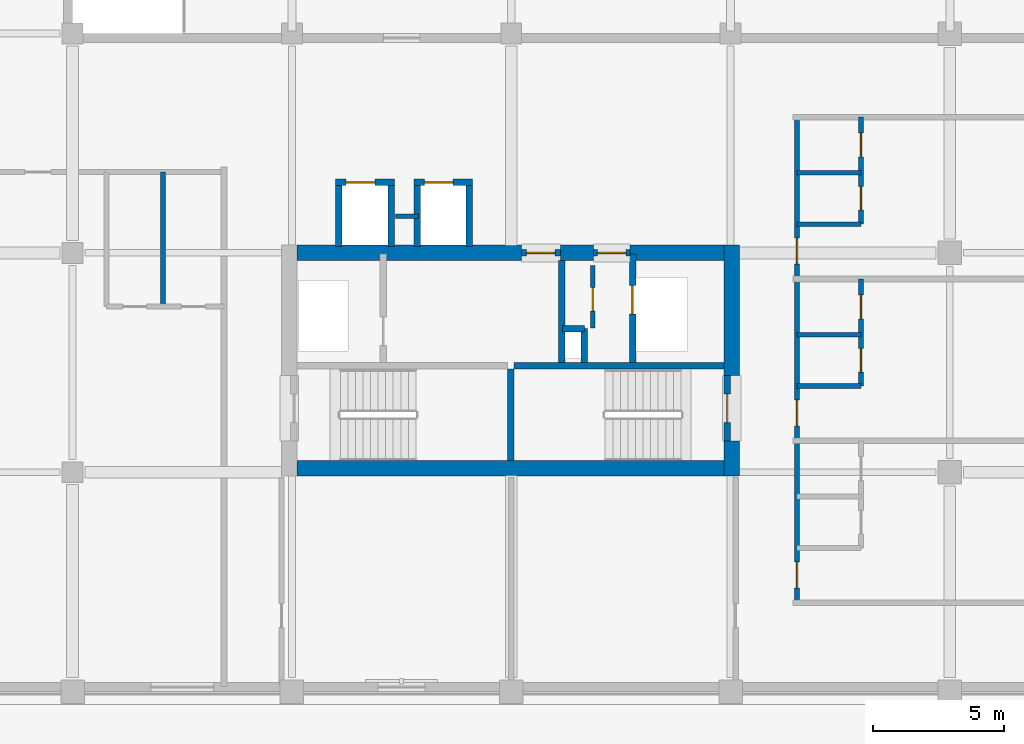
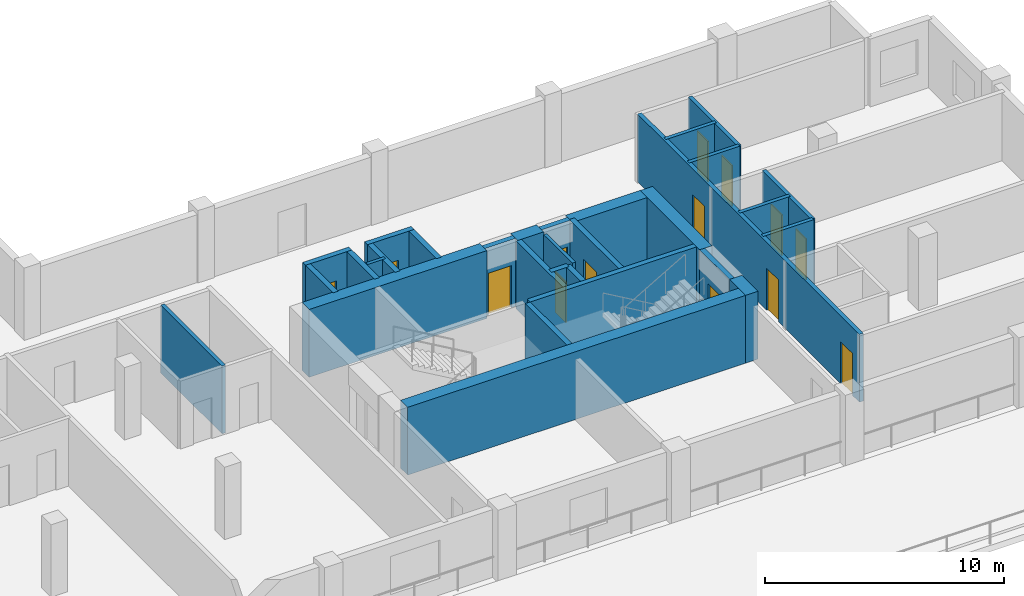
# One storey, part 4 of 13: 31 walls, 14 doors, 14 openings.
"""IFC4 building model written with IfcOpenShell, lengths in metres."""

import ifcopenshell
import ifcopenshell.guid

model = None  # the IFC model being written
_history = None  # IfcOwnerHistory: only IFC2X3 demands one
_inside = {}  # id of a spatial element -> (the spatial element, [elements in it])
_under = {}  # id of a project, library or spatial element -> (it, [spatial elements below it])
_declared = {}  # id of a project -> (the project, [libraries it declares])
_typed = {}  # id of a type object -> (the type object, [elements of that type])
_made_of = {}  # id of a material, layer set ... -> (it, [elements and type objects made of it])


def new_model(schema):
    """Start an empty IFC model of exactly this schema.

    Asked for "IFC4X3", IfcOpenShell would pick the latest addendum, in which some entities
    have other attributes; the version numbers below select the first issue.
    IFC2X3 requires an IfcOwnerHistory on every rooted entity: one is made here for all.
    """
    global model, _history
    if schema == "IFC4X3":
        model = ifcopenshell.file(schema_version=(4, 3, 0, 0))
    else:
        model = ifcopenshell.file(schema=schema)
    _inside.clear()
    _under.clear()
    _declared.clear()
    _typed.clear()
    _made_of.clear()
    _history = None
    if model.schema == "IFC2X3":
        org = make("IfcOrganization", Name="unknown")
        user = make(
            "IfcPersonAndOrganization",
            ThePerson=make("IfcPerson", FamilyName="unknown"),
            TheOrganization=org,
        )
        app = make(
            "IfcApplication",
            ApplicationDeveloper=org,
            Version="unknown",
            ApplicationFullName="unknown",
            ApplicationIdentifier="unknown",
        )
        _history = make(
            "IfcOwnerHistory",
            OwningUser=user,
            OwningApplication=app,
            ChangeAction="ADDED",
            CreationDate=0,
        )
    return model


def make(cls, **values):
    """One entity of the class cls with the attributes given. An attribute that is None is left unset."""
    return model.create_entity(
        cls, **{name: value for name, value in values.items() if value is not None}
    )


def rooted(cls, **values):
    """An entity with a GlobalId (a new one), such as an element, a storey or a relation."""
    return make(cls, GlobalId=ifcopenshell.guid.new(), OwnerHistory=_history, **values)


def si_unit(unit_type, name, prefix=None):
    """IfcSIUnit, for example si_unit("LENGTHUNIT", "METRE", prefix="MILLI")."""
    return make("IfcSIUnit", UnitType=unit_type, Prefix=prefix, Name=name)


def assignment(units):
    """IfcUnitAssignment: the units of a project."""
    return None if units is None else make("IfcUnitAssignment", Units=units)


def point(xyz):
    """IfcCartesianPoint."""
    return None if xyz is None else make("IfcCartesianPoint", Coordinates=xyz)


def direction(xyz):
    """IfcDirection."""
    return None if xyz is None else make("IfcDirection", DirectionRatios=xyz)


def frame(location, z_axis=None, x_axis=None):
    """IfcAxis2Placement3D, a coordinate frame: its origin and axes. An axis left out is left unset."""
    return make(
        "IfcAxis2Placement3D",
        Location=point(location),
        Axis=direction(z_axis),
        RefDirection=direction(x_axis),
    )


def frame_2d(location, x_axis=None):
    """IfcAxis2Placement2D, a coordinate frame in the plane: its origin and x axis."""
    return make(
        "IfcAxis2Placement2D", Location=point(location), RefDirection=direction(x_axis)
    )


def origin():
    """The frame at (0, 0, 0) with its axes left unset."""
    return frame((0.0, 0.0, 0.0))


def place(relative_to, where):
    """IfcLocalPlacement: puts the frame where relative to a parent placement (None: the world)."""
    return make(
        "IfcLocalPlacement", PlacementRelTo=relative_to, RelativePlacement=where
    )


def context(
    kind, dimensions, precision=None, world=None, true_north=None, identifier=None
):
    """IfcGeometricRepresentationContext, for example the 3D "Model" context."""
    return make(
        "IfcGeometricRepresentationContext",
        ContextIdentifier=identifier,
        ContextType=kind,
        CoordinateSpaceDimension=dimensions,
        Precision=precision,
        WorldCoordinateSystem=world,
        TrueNorth=true_north,
    )


def subcontext(parent, identifier, kind, view, scale=None):
    """IfcGeometricRepresentationSubContext, for example "Body" below "Model"."""
    return make(
        "IfcGeometricRepresentationSubContext",
        ContextIdentifier=identifier,
        ContextType=kind,
        ParentContext=parent,
        TargetScale=scale,
        TargetView=view,
    )


def project(units=None, contexts=None):
    """IfcProject with its units and contexts."""
    return rooted(
        "IfcProject",
        Name="project",
        RepresentationContexts=contexts,
        UnitsInContext=assignment(units),
    )


def spatial(cls, under=None, at=None, **own):
    """A site, building, storey or space (cls), placed at a placement, below another one or the project."""
    s = rooted(cls, ObjectPlacement=at, **own)
    if under is not None:
        _under.setdefault(under.id(), (under, []))[1].append(s)
    return s


def profile(cls, at=None, kind="AREA", **sizes):
    """A parametric profile (cls). Its sizes go by their IFC names, for example OverallWidth=200.0."""
    return make(cls, ProfileType=kind, Position=at, **sizes)


def rectangle(**sizes):
    """IfcRectangleProfileDef."""
    return profile("IfcRectangleProfileDef", **sizes)


def extrude(swept, where, along, depth):
    """IfcExtrudedAreaSolid: the profile swept, set in the frame where, extruded along a direction by depth."""
    return make(
        "IfcExtrudedAreaSolid",
        SweptArea=swept,
        Position=where,
        ExtrudedDirection=direction(along),
        Depth=depth,
    )


def shape(context_of_items, identifier, shape_type, items):
    """IfcShapeRepresentation: the items that make up one representation, for example the "Body"."""
    return make(
        "IfcShapeRepresentation",
        ContextOfItems=context_of_items,
        RepresentationIdentifier=identifier,
        RepresentationType=shape_type,
        Items=items,
    )


def material(Name=None, Category=None):
    """IfcMaterial."""
    return make("IfcMaterial", Name=Name, Category=Category)


def layer(
    of_material, thickness, ventilated=None, Name=None, Category=None, Priority=None
):
    """IfcMaterialLayer: one layer of a wall or slab, of a material (None: an air gap)."""
    return make(
        "IfcMaterialLayer",
        Material=of_material,
        LayerThickness=thickness,
        IsVentilated=ventilated,
        Name=Name,
        Category=Category,
        Priority=Priority,
    )


def layer_set(layers, Name=None):
    """IfcMaterialLayerSet."""
    return make("IfcMaterialLayerSet", MaterialLayers=layers, LayerSetName=Name)


def made_of(thing, what):
    """Note that an element or type object is made of a material, layer set ...; save() writes the relation."""
    if what is not None:
        _made_of.setdefault(what.id(), (what, []))[1].append(thing)
    return thing


def type_object(cls, material=None, **own):
    """A type object (cls), such as IfcWallType, which elements share."""
    return made_of(rooted(cls, **own), material)


def element(
    cls,
    number,
    at=None,
    inside=None,
    cuts=None,
    type_object=None,
    material=None,
    context=None,
    identifier="Body",
    shape_type=None,
    held_by="IfcProductDefinitionShape",
    body=None,
    shapes=None,
    **own,
):
    """One element of the class cls, such as IfcWall. Its Tag is "e" and its number.

    at: its placement. inside: the storey or other place that contains it. cuts: it is an
    opening in that element (IfcRelVoidsElement). A single representation is given by context,
    identifier, shape_type and body (its items); several are given by shapes. held_by: the class
    of the entity that holds the representations. save() writes the other relations.
    """
    e = rooted(cls, Tag="e%d" % number, ObjectPlacement=at, **own)
    if body is not None:
        shapes = [shape(context, identifier, shape_type, body)]
    if shapes is not None:
        e.Representation = make(held_by, Representations=shapes)
    if inside is not None:
        _inside.setdefault(inside.id(), (inside, []))[1].append(e)
    if cuts is not None:
        rooted(
            "IfcRelVoidsElement", RelatingBuildingElement=cuts, RelatedOpeningElement=e
        )
    if type_object is not None:
        _typed.setdefault(type_object.id(), (type_object, []))[1].append(e)
    return made_of(e, material)


def fill(opening, filler):
    """IfcRelFillsElement: the door or window that sits in an opening."""
    return rooted(
        "IfcRelFillsElement",
        RelatingOpeningElement=opening,
        RelatedBuildingElement=filler,
    )


def aggregate(whole, parts):
    """IfcRelAggregates: a whole, such as a stair, and the parts it consists of."""
    return rooted("IfcRelAggregates", RelatingObject=whole, RelatedObjects=parts)


def save(model, path):
    """Write the relations noted so far, then the file.

    IfcRelAggregates (storeys below a building ...), IfcRelContainedInSpatialStructure (elements
    in a storey), IfcRelDefinesByType, IfcRelAssociatesMaterial and IfcRelDeclares: one each for
    every whole, place, type object, material and project.
    """
    for whole, parts in _under.values():
        aggregate(whole, parts)
    for where, things in _inside.values():
        rooted(
            "IfcRelContainedInSpatialStructure",
            RelatedElements=things,
            RelatingStructure=where,
        )
    for kind, things in _typed.values():
        rooted("IfcRelDefinesByType", RelatedObjects=things, RelatingType=kind)
    for what, things in _made_of.values():
        rooted("IfcRelAssociatesMaterial", RelatedObjects=things, RelatingMaterial=what)
    for by, libraries in _declared.values():
        rooted("IfcRelDeclares", RelatingContext=by, RelatedDefinitions=libraries)
    model.write(path)


model = new_model("IFC4")

# Units and contexts
model_context = context("Model", 3, precision=1e-05, world=origin(), true_north=direction((0.0, 1.0)))
body_context = subcontext(model_context, "Body", "Model", "MODEL_VIEW")
ifc_project = project(units=[si_unit("LENGTHUNIT", "METRE"), si_unit("AREAUNIT", "SQUARE_METRE"), si_unit("VOLUMEUNIT", "CUBIC_METRE"), si_unit("PLANEANGLEUNIT", "RADIAN"), si_unit("MASSUNIT", "GRAM", prefix="KILO")], contexts=[model_context])

# Site, building, storey
site_placement = place(None, origin())
site = spatial("IfcSite", under=ifc_project, at=site_placement, CompositionType="ELEMENT")
building_placement = place(site_placement, origin())
building = spatial("IfcBuilding", under=site, at=building_placement, Name="Koriwani Terraces Tower", CompositionType="ELEMENT")
storey_placement = place(building_placement, frame((0.0, 0.0, 234.199951171875)))
storey = spatial("IfcBuildingStorey", under=building, at=storey_placement, Name="L57", CompositionType="ELEMENT", Elevation=234.199951171875)

# Walls
ifc_material_1 = material(Name="Concrete C60/75", Category="concrete")
ifc_layer_1 = layer(ifc_material_1, 0.60009765625, Name="Concrete C60/75")
ifc_layer_set_1 = layer_set([ifc_layer_1], Name="Concrete C60/75")
wall_type_1 = type_object("IfcWallType", Name="WALL_CORE_RC_600", PredefinedType="SHEAR", material=ifc_layer_set_1)
wall_1_placement = place(storey_placement, frame((58.85009765625, 16.64990234375, 0.0), z_axis=(0.0, 0.0, 1.0), x_axis=(0.0, 1.0, 0.0)))
element("IfcWall", 1, at=wall_1_placement, inside=storey, type_object=wall_type_1, Name="L57 East Split Core Shear Wall E1", PredefinedType="SHEAR", context=body_context, shape_type="SweptSolid", body=[
    extrude(rectangle(XDim=1.35009765625, YDim=0.60009765625, at=frame_2d((0.675048828125, 0.0))), origin(), (0.0, 0.0, 1.0), 3.469970703125),
])
wall_2_placement = place(storey_placement, frame((58.85009765625, 20.5, 0.0), z_axis=(0.0, 0.0, 1.0), x_axis=(0.0, 1.0, 0.0)))
element("IfcWall", 2, at=wall_2_placement, inside=storey, type_object=wall_type_1, Name="L57 East Split Core Shear Wall E2", PredefinedType="SHEAR", context=body_context, shape_type="SweptSolid", body=[
    extrude(rectangle(XDim=5.0, YDim=0.60009765625, at=frame_2d((2.5, 0.0))), origin(), (0.0, 0.0, 1.0), 3.469970703125),
])
wall_3_placement = place(storey_placement, frame((42.199951171875, 16.949951171875, 0.0), z_axis=(0.0, 0.0, 1.0), x_axis=(1.0, 0.0, 0.0)))
element("IfcWall", 3, at=wall_3_placement, inside=storey, type_object=wall_type_1, Name="L57 East Split Core Shear Wall S1", PredefinedType="SHEAR", context=body_context, shape_type="SweptSolid", body=[
    extrude(rectangle(XDim=16.35009765625, YDim=0.60009765625, at=frame_2d((8.175048828125, 0.0))), origin(), (0.0, 0.0, 1.0), 3.469970703125),
])
wall_4_placement = place(storey_placement, frame((42.199951171875, 25.199951171875, 0.0), z_axis=(0.0, 0.0, 1.0), x_axis=(1.0, 0.0, 0.0)))
element("IfcWall", 4, at=wall_4_placement, inside=storey, type_object=wall_type_1, Name="L57 East Split Core Shear Wall N1", PredefinedType="SHEAR", context=body_context, shape_type="SweptSolid", body=[
    extrude(rectangle(XDim=8.60009765625, YDim=0.60009765625, at=frame_2d((4.300048828125, 0.0))), origin(), (0.0, 0.0, 1.0), 3.469970703125),
])
wall_5_placement = place(storey_placement, frame((52.280029296875, 25.199951171875, 0.0), z_axis=(0.0, 0.0, 1.0), x_axis=(1.0, 0.0, 0.0)))
element("IfcWall", 5, at=wall_5_placement, inside=storey, type_object=wall_type_1, Name="L57 East Split Core Shear Wall N2", PredefinedType="SHEAR", context=body_context, shape_type="SweptSolid", body=[
    extrude(rectangle(XDim=1.27001953125, YDim=0.60009765625, at=frame_2d((0.635009765625, 0.0))), origin(), (0.0, 0.0, 1.0), 3.469970703125),
])
wall_6_placement = place(storey_placement, frame((54.949951171875, 25.199951171875, 0.0), z_axis=(0.0, 0.0, 1.0), x_axis=(1.0, 0.0, 0.0)))
element("IfcWall", 6, at=wall_6_placement, inside=storey, type_object=wall_type_1, Name="L57 East Split Core Shear Wall N3", PredefinedType="SHEAR", context=body_context, shape_type="SweptSolid", body=[
    extrude(rectangle(XDim=3.60009765625, YDim=0.60009765625, at=frame_2d((1.800048828125, 0.0))), origin(), (0.0, 0.0, 1.0), 3.469970703125),
])

# Wall, openings, doors
ifc_material_2 = material(Name="Autoclaved Cellular Concrete Blockwork", Category="masonry")
ifc_layer_2 = layer(ifc_material_2, 0.199951171875, Name="Autoclaved Cellular Concrete Blockwork")
ifc_layer_set_2 = layer_set([ifc_layer_2], Name="Autoclaved Cellular Concrete Blockwork")
wall_type_2 = type_object("IfcWallType", Name="WALL_CORRIDOR_200", PredefinedType="PARTITIONING", material=ifc_layer_set_2)
wall_7_placement = place(storey_placement, frame((61.35009765625, 11.800048828125, 0.0), z_axis=(0.0, 0.0, 1.0), x_axis=(0.0, 1.0, 0.0)))
wall_7 = element("IfcWall", 7, at=wall_7_placement, inside=storey, type_object=wall_type_2, Name="L57 Interior Wall WRCOR-L57-ETE-0", PredefinedType="PARTITIONING", context=body_context, shape_type="SweptSolid", body=[
    extrude(rectangle(XDim=18.599853515625, YDim=0.199951171875, at=frame_2d((9.2998046875, 0.0))), origin(), (0.0, 0.0, 1.0), 3.469970703125),
])
opening_1_placement = place(wall_7_placement, frame((0.570068359375, 0.0, 0.0)))
opening_1 = element("IfcOpeningElement", 8, at=opening_1_placement, cuts=wall_7, Name="Opening D-05", PredefinedType="OPENING", context=body_context, shape_type="SweptSolid", body=[
    extrude(rectangle(XDim=1.0, YDim=2.14990234375, at=frame_2d((0.5, 1.074951171875))), frame((0.0, 0.10986328125, 0.0), z_axis=(0.0, -1.0, 0.0), x_axis=(1.0, 0.0, 0.0)), (0.0, 0.0, 1.0), 0.219970703125),
])
opening_2_placement = place(wall_7_placement, frame((6.77001953125, 0.0, 0.0)))
opening_2 = element("IfcOpeningElement", 9, at=opening_2_placement, cuts=wall_7, Name="Opening D-05", PredefinedType="OPENING", context=body_context, shape_type="SweptSolid", body=[
    extrude(rectangle(XDim=1.0, YDim=2.14990234375, at=frame_2d((0.5, 1.074951171875))), frame((0.0, 0.10986328125, 0.0), z_axis=(0.0, -1.0, 0.0), x_axis=(1.0, 0.0, 0.0)), (0.0, 0.0, 1.0), 0.219970703125),
])
opening_3_placement = place(wall_7_placement, frame((12.969970703125, 0.0, 0.0)))
opening_3 = element("IfcOpeningElement", 10, at=opening_3_placement, cuts=wall_7, Name="Opening D-05", PredefinedType="OPENING", context=body_context, shape_type="SweptSolid", body=[
    extrude(rectangle(XDim=1.0, YDim=2.14990234375, at=frame_2d((0.5, 1.074951171875))), frame((0.0, 0.10986328125, 0.0), z_axis=(0.0, -1.0, 0.0), x_axis=(1.0, 0.0, 0.0)), (0.0, 0.0, 1.0), 0.219970703125),
])
ifc_material_3 = material(Name="Architectural Oak Fire Door", Category="wood")
door_type_1 = type_object("IfcDoorType", Name="DOOR_SUITE_ENTRY_1000X2150", OperationType="NOTDEFINED", PredefinedType="DOOR", material=ifc_material_3)
door_1_placement = place(opening_1_placement, origin())
door_1 = element("IfcDoor", 11, at=door_1_placement, inside=storey, type_object=door_type_1, Name="Apartment 57ETE1 Entrance Door", OperationType="SINGLE_SWING_LEFT", OverallHeight=2.14990234375, OverallWidth=1.0, PredefinedType="DOOR", context=body_context, shape_type="SweptSolid", body=[
    extrude(rectangle(XDim=1.0, YDim=2.14990234375, at=frame_2d((0.5, 1.074951171875))), frame((0.0, 0.02490234375, 0.0), z_axis=(0.0, -1.0, 0.0), x_axis=(1.0, 0.0, 0.0)), (0.0, 0.0, 1.0), 0.050048828125),
])
fill(opening_1, door_1)
door_2_placement = place(opening_2_placement, origin())
door_2 = element("IfcDoor", 12, at=door_2_placement, inside=storey, type_object=door_type_1, Name="Apartment 57ETE2 Entrance Door", OperationType="SINGLE_SWING_RIGHT", OverallHeight=2.14990234375, OverallWidth=1.0, PredefinedType="DOOR", context=body_context, shape_type="SweptSolid", body=[
    extrude(rectangle(XDim=1.0, YDim=2.14990234375, at=frame_2d((0.5, 1.074951171875))), frame((0.0, 0.02490234375, 0.0), z_axis=(0.0, -1.0, 0.0), x_axis=(1.0, 0.0, 0.0)), (0.0, 0.0, 1.0), 0.050048828125),
])
fill(opening_2, door_2)
door_3_placement = place(opening_3_placement, origin())
door_3 = element("IfcDoor", 13, at=door_3_placement, inside=storey, type_object=door_type_1, Name="Apartment 57ETE3 Entrance Door", OperationType="SINGLE_SWING_LEFT", OverallHeight=2.14990234375, OverallWidth=1.0, PredefinedType="DOOR", context=body_context, shape_type="SweptSolid", body=[
    extrude(rectangle(XDim=1.0, YDim=2.14990234375, at=frame_2d((0.5, 1.074951171875))), frame((0.0, 0.02490234375, 0.0), z_axis=(0.0, -1.0, 0.0), x_axis=(1.0, 0.0, 0.0)), (0.0, 0.0, 1.0), 0.050048828125),
])
fill(opening_3, door_3)

# Wall
ifc_material_4 = material(Name="Fire-Rated Acoustic Gypsum Partition", Category="masonry")
ifc_layer_3 = layer(ifc_material_4, 0.179931640625, Name="Fire-Rated Acoustic Gypsum Partition")
ifc_layer_set_3 = layer_set([ifc_layer_3], Name="Fire-Rated Acoustic Gypsum Partition")
wall_type_3 = type_object("IfcWallType", Name="WALL_PLUMBING_180", PredefinedType="PLUMBINGWALL", material=ifc_layer_set_3)
wall_8_placement = place(storey_placement, frame((37.06005859375, 23.14990234375, 0.0), z_axis=(0.0, 0.0, 1.0), x_axis=(0.0, 1.0, 0.0)))
element("IfcWall", 14, at=wall_8_placement, inside=storey, type_object=wall_type_3, Name="L57 Interior Wall WRSVCM-L57-SW-2", PredefinedType="PLUMBINGWALL", context=body_context, shape_type="SweptSolid", body=[
    extrude(rectangle(XDim=5.150146484375, YDim=0.179931640625, at=frame_2d((2.5751953125, 0.0))), origin(), (0.0, 0.0, 1.0), 3.469970703125),
])

# Wall, openings, doors
wall_9_placement = place(storey_placement, frame((63.800048828125, 20.10009765625, 0.0), z_axis=(0.0, 0.0, 1.0), x_axis=(0.0, 1.0, 0.0)))
wall_9 = element("IfcWall", 15, at=wall_9_placement, inside=storey, type_object=wall_type_3, Name="L57 Interior Wall WRSVC-L57-ETE-1", PredefinedType="PLUMBINGWALL", context=body_context, shape_type="SweptSolid", body=[
    extrude(rectangle(XDim=4.099853515625, YDim=0.179931640625, at=frame_2d((2.0498046875, 0.0))), origin(), (0.0, 0.0, 1.0), 3.469970703125),
])
opening_4_placement = place(wall_9_placement, frame((0.533935546875, 0.0, 0.0)))
opening_4 = element("IfcOpeningElement", 16, at=opening_4_placement, cuts=wall_9, Name="Opening D-07", PredefinedType="OPENING", context=body_context, shape_type="SweptSolid", body=[
    extrude(rectangle(XDim=0.89990234375, YDim=2.10009765625, at=frame_2d((0.449951171875, 1.050048828125))), frame((0.0, 0.10009765625, 0.0), z_axis=(0.0, -1.0, 0.0), x_axis=(1.0, 0.0, 0.0)), (0.0, 0.0, 1.0), 0.199951171875),
])
opening_5_placement = place(wall_9_placement, frame((2.573974609375, 0.0, 0.0)))
opening_5 = element("IfcOpeningElement", 17, at=opening_5_placement, cuts=wall_9, Name="Opening D-06", PredefinedType="OPENING", context=body_context, shape_type="SweptSolid", body=[
    extrude(rectangle(XDim=0.919921875, YDim=2.10009765625, at=frame_2d((0.4599609375, 1.050048828125))), frame((0.0, 0.10009765625, 0.0), z_axis=(0.0, -1.0, 0.0), x_axis=(1.0, 0.0, 0.0)), (0.0, 0.0, 1.0), 0.199951171875),
])
door_type_2 = type_object("IfcDoorType", Name="DOOR_BATH_INT_900X2100", OperationType="NOTDEFINED", PredefinedType="DOOR", material=ifc_material_3)
door_4_placement = place(opening_4_placement, origin())
door_4 = element("IfcDoor", 18, at=door_4_placement, inside=storey, type_object=door_type_2, Name="Apartment 57ETE2 Bathroom Door", OperationType="SINGLE_SWING_LEFT", OverallHeight=2.10009765625, OverallWidth=0.89990234375, PredefinedType="DOOR", context=body_context, shape_type="SweptSolid", body=[
    extrude(rectangle(XDim=0.89990234375, YDim=2.10009765625, at=frame_2d((0.449951171875, 1.050048828125))), frame((0.0, 0.02490234375, 0.0), z_axis=(0.0, -1.0, 0.0), x_axis=(1.0, 0.0, 0.0)), (0.0, 0.0, 1.0), 0.050048828125),
])
fill(opening_4, door_4)
door_type_3 = type_object("IfcDoorType", Name="DOOR_ROOM_INT_920X2100", OperationType="NOTDEFINED", PredefinedType="DOOR", material=ifc_material_3)
door_5_placement = place(opening_5_placement, origin())
door_5 = element("IfcDoor", 19, at=door_5_placement, inside=storey, type_object=door_type_3, Name="Apartment 57ETE2 Kitchen Door", OperationType="SINGLE_SWING_RIGHT", OverallHeight=2.10009765625, OverallWidth=0.919921875, PredefinedType="DOOR", context=body_context, shape_type="SweptSolid", body=[
    extrude(rectangle(XDim=0.919921875, YDim=2.10009765625, at=frame_2d((0.4599609375, 1.050048828125))), frame((0.0, 0.02490234375, 0.0), z_axis=(0.0, -1.0, 0.0), x_axis=(1.0, 0.0, 0.0)), (0.0, 0.0, 1.0), 0.050048828125),
])
fill(opening_5, door_5)

# Walls
for number, where, z_axis, x_axis, name in (
    (20, (61.35009765625, 20.10009765625, 0.0), (0.0, 0.0, 1.0), (1.0, 0.0, 0.0), "L57 Interior Wall WRSVCS-L57-ETE-1"),
    (21, (61.35009765625, 22.068115234375, 0.0), (0.0, 0.0, 1.0), (1.0, 0.0, 0.0), "L57 Interior Wall WRSVCM-L57-ETE-1"),
):
    element("IfcWall", number, at=place(storey_placement, frame(where, z_axis=z_axis, x_axis=x_axis)), inside=storey, type_object=wall_type_3, Name=name, PredefinedType="PLUMBINGWALL", context=body_context, shape_type="SweptSolid", body=[
        extrude(rectangle(XDim=2.449951171875, YDim=0.179931640625, at=frame_2d((1.22509765625, 0.0))), origin(), (0.0, 0.0, 1.0), 3.469970703125),
    ])

# Wall, openings, doors
wall_10_placement = place(storey_placement, frame((63.800048828125, 26.300048828125, 0.0), z_axis=(0.0, 0.0, 1.0), x_axis=(0.0, 1.0, 0.0)))
wall_10 = element("IfcWall", 22, at=wall_10_placement, inside=storey, type_object=wall_type_3, Name="L57 Interior Wall WRSVC-L57-ETE-2", PredefinedType="PLUMBINGWALL", context=body_context, shape_type="SweptSolid", body=[
    extrude(rectangle(XDim=4.099853515625, YDim=0.179931640625, at=frame_2d((2.0498046875, 0.0))), origin(), (0.0, 0.0, 1.0), 3.469970703125),
])
opening_6_placement = place(wall_10_placement, frame((0.533935546875, 0.0, 0.0)))
opening_6 = element("IfcOpeningElement", 23, at=opening_6_placement, cuts=wall_10, Name="Opening D-07", PredefinedType="OPENING", context=body_context, shape_type="SweptSolid", body=[
    extrude(rectangle(XDim=0.89990234375, YDim=2.10009765625, at=frame_2d((0.449951171875, 1.050048828125))), frame((0.0, 0.10009765625, 0.0), z_axis=(0.0, -1.0, 0.0), x_axis=(1.0, 0.0, 0.0)), (0.0, 0.0, 1.0), 0.199951171875),
])
opening_7_placement = place(wall_10_placement, frame((2.573974609375, 0.0, 0.0)))
opening_7 = element("IfcOpeningElement", 24, at=opening_7_placement, cuts=wall_10, Name="Opening D-06", PredefinedType="OPENING", context=body_context, shape_type="SweptSolid", body=[
    extrude(rectangle(XDim=0.919921875, YDim=2.10009765625, at=frame_2d((0.4599609375, 1.050048828125))), frame((0.0, 0.10009765625, 0.0), z_axis=(0.0, -1.0, 0.0), x_axis=(1.0, 0.0, 0.0)), (0.0, 0.0, 1.0), 0.199951171875),
])
door_6_placement = place(opening_6_placement, origin())
door_6 = element("IfcDoor", 25, at=door_6_placement, inside=storey, type_object=door_type_2, Name="Apartment 57ETE3 Bathroom Door", OperationType="SINGLE_SWING_RIGHT", OverallHeight=2.10009765625, OverallWidth=0.89990234375, PredefinedType="DOOR", context=body_context, shape_type="SweptSolid", body=[
    extrude(rectangle(XDim=0.89990234375, YDim=2.10009765625, at=frame_2d((0.449951171875, 1.050048828125))), frame((0.0, 0.02490234375, 0.0), z_axis=(0.0, -1.0, 0.0), x_axis=(1.0, 0.0, 0.0)), (0.0, 0.0, 1.0), 0.050048828125),
])
fill(opening_6, door_6)
door_7_placement = place(opening_7_placement, origin())
door_7 = element("IfcDoor", 26, at=door_7_placement, inside=storey, type_object=door_type_3, Name="Apartment 57ETE3 Kitchen Door", OperationType="SINGLE_SWING_LEFT", OverallHeight=2.10009765625, OverallWidth=0.919921875, PredefinedType="DOOR", context=body_context, shape_type="SweptSolid", body=[
    extrude(rectangle(XDim=0.919921875, YDim=2.10009765625, at=frame_2d((0.4599609375, 1.050048828125))), frame((0.0, 0.02490234375, 0.0), z_axis=(0.0, -1.0, 0.0), x_axis=(1.0, 0.0, 0.0)), (0.0, 0.0, 1.0), 0.050048828125),
])
fill(opening_7, door_7)

# Walls
for number, where, z_axis, x_axis, name in (
    (27, (61.35009765625, 26.300048828125, 0.0), (0.0, 0.0, 1.0), (1.0, 0.0, 0.0), "L57 Interior Wall WRSVCS-L57-ETE-2"),
    (28, (61.35009765625, 28.26806640625, 0.0), (0.0, 0.0, 1.0), (1.0, 0.0, 0.0), "L57 Interior Wall WRSVCM-L57-ETE-2"),
):
    element("IfcWall", number, at=place(storey_placement, frame(where, z_axis=z_axis, x_axis=x_axis)), inside=storey, type_object=wall_type_3, Name=name, PredefinedType="PLUMBINGWALL", context=body_context, shape_type="SweptSolid", body=[
        extrude(rectangle(XDim=2.449951171875, YDim=0.179931640625, at=frame_2d((1.22509765625, 0.0))), origin(), (0.0, 0.0, 1.0), 3.469970703125),
    ])
ifc_material_5 = material(Name="Concrete C40/50", Category="concrete")
ifc_layer_4 = layer(ifc_material_5, 0.25, Name="Concrete C40/50")
ifc_layer_set_4 = layer_set([ifc_layer_4], Name="Concrete C40/50")
wall_type_4 = type_object("IfcWallType", Name="WALL_SHAFT_RATED_250", PredefinedType="SOLIDWALL", material=ifc_layer_set_4)
wall_11_placement = place(storey_placement, frame((50.5, 20.875, 0.0), z_axis=(0.0, 0.0, 1.0), x_axis=(1.0, 0.0, 0.0)))
element("IfcWall", 29, at=wall_11_placement, inside=storey, type_object=wall_type_4, Name="L57 East Split Core Web Wall MID2", PredefinedType="SOLIDWALL", context=body_context, shape_type="SweptSolid", body=[
    extrude(rectangle(XDim=8.050048828125, YDim=0.25, at=frame_2d((4.02490234375, 0.0))), origin(), (0.0, 0.0, 1.0), 3.469970703125),
])
wall_12_placement = place(storey_placement, frame((50.375, 17.25, 0.0), z_axis=(0.0, 0.0, 1.0), x_axis=(0.0, 1.0, 0.0)))
element("IfcWall", 30, at=wall_12_placement, inside=storey, type_object=wall_type_4, Name="L57 East Split Core Stair Dividing Wall", PredefinedType="SOLIDWALL", context=body_context, shape_type="SweptSolid", body=[
    extrude(rectangle(XDim=3.5, YDim=0.25, at=frame_2d((1.75, 0.0))), origin(), (0.0, 0.0, 1.0), 3.469970703125),
])

# Wall, opening, door
wall_13_placement = place(storey_placement, frame((58.675048828125, 18.0, 0.0), z_axis=(0.0, 0.0, 1.0), x_axis=(0.0, 1.0, 0.0)))
wall_13 = element("IfcWall", 31, at=wall_13_placement, inside=storey, type_object=wall_type_4, Name="L57 Interior Wall WIN-CE-L57-STE", PredefinedType="SOLIDWALL", context=body_context, shape_type="SweptSolid", body=[
    extrude(rectangle(XDim=2.5, YDim=0.25, at=frame_2d((1.25, 0.0))), origin(), (0.0, 0.0, 1.0), 3.469970703125),
])
opening_8_placement = place(wall_13_placement, frame((0.699951171875, 0.0, 0.0)))
opening_8 = element("IfcOpeningElement", 32, at=opening_8_placement, cuts=wall_13, Name="Opening D-03", PredefinedType="OPENING", context=body_context, shape_type="SweptSolid", body=[
    extrude(rectangle(XDim=1.10009765625, YDim=2.14990234375, at=frame_2d((0.550048828125, 1.074951171875))), frame((0.0, 0.135009765625, 0.0), z_axis=(0.0, -1.0, 0.0), x_axis=(1.0, 0.0, 0.0)), (0.0, 0.0, 1.0), 0.27001953125),
])
ifc_material_6 = material(Name="Steel ASTM A572 Grade 50", Category="steel")
door_type_4 = type_object("IfcDoorType", Name="DOOR_STAIR_FIRE_1100X2150", OperationType="NOTDEFINED", PredefinedType="DOOR", material=ifc_material_6)
door_8_placement = place(opening_8_placement, origin())
door_8 = element("IfcDoor", 33, at=door_8_placement, inside=storey, type_object=door_type_4, Name="L57 Exit Stair ST-E2 Door", OperationType="SINGLE_SWING_LEFT", OverallHeight=2.14990234375, OverallWidth=1.10009765625, PredefinedType="DOOR", context=body_context, shape_type="SweptSolid", body=[
    extrude(rectangle(XDim=1.10009765625, YDim=2.14990234375, at=frame_2d((0.550048828125, 1.074951171875))), frame((0.0, 0.02490234375, 0.0), z_axis=(0.0, -1.0, 0.0), x_axis=(1.0, 0.0, 0.0)), (0.0, 0.0, 1.0), 0.050048828125),
])
fill(opening_8, door_8)

wall_14_placement = place(storey_placement, frame((50.800048828125, 25.199951171875, 0.0), z_axis=(0.0, 0.0, 1.0), x_axis=(1.0, 0.0, 0.0)))
wall_14 = element("IfcWall", 34, at=wall_14_placement, inside=storey, type_object=wall_type_4, Name="L57 Interior Wall WIN-CE-L57-NP", PredefinedType="SOLIDWALL", context=body_context, shape_type="SweptSolid", body=[
    extrude(rectangle(XDim=1.47998046875, YDim=0.25, at=frame_2d((0.739990234375, 0.0))), origin(), (0.0, 0.0, 1.0), 3.469970703125),
])
opening_9_placement = place(wall_14_placement, frame((0.179931640625, 0.0, 0.0)))
opening_9 = element("IfcOpeningElement", 35, at=opening_9_placement, cuts=wall_14, Name="Opening D-03", PredefinedType="OPENING", context=body_context, shape_type="SweptSolid", body=[
    extrude(rectangle(XDim=1.10009765625, YDim=2.14990234375, at=frame_2d((0.550048828125, 1.074951171875))), frame((0.0, 0.135009765625, 0.0), z_axis=(0.0, -1.0, 0.0), x_axis=(1.0, 0.0, 0.0)), (0.0, 0.0, 1.0), 0.27001953125),
])
door_9_placement = place(opening_9_placement, origin())
door_9 = element("IfcDoor", 36, at=door_9_placement, inside=storey, type_object=door_type_4, Name="L57 East Firefighting Lobby Door", OperationType="SINGLE_SWING_RIGHT", OverallHeight=2.14990234375, OverallWidth=1.10009765625, PredefinedType="DOOR", context=body_context, shape_type="SweptSolid", body=[
    extrude(rectangle(XDim=1.10009765625, YDim=2.14990234375, at=frame_2d((0.550048828125, 1.074951171875))), frame((0.0, 0.02490234375, 0.0), z_axis=(0.0, -1.0, 0.0), x_axis=(1.0, 0.0, 0.0)), (0.0, 0.0, 1.0), 0.050048828125),
])
fill(opening_9, door_9)

# Wall
wall_15_placement = place(storey_placement, frame((52.340087890625, 21.0, 0.0), z_axis=(0.0, 0.0, 1.0), x_axis=(0.0, 1.0, 0.0)))
element("IfcWall", 37, at=wall_15_placement, inside=storey, type_object=wall_type_4, Name="L57 Interior Wall WIN-CE-L57-FFE", PredefinedType="SOLIDWALL", context=body_context, shape_type="SweptSolid", body=[
    extrude(rectangle(XDim=3.89990234375, YDim=0.25, at=frame_2d((1.949951171875, 0.0))), origin(), (0.0, 0.0, 1.0), 3.469970703125),
])

# Wall, opening, door
wall_16_placement = place(storey_placement, frame((55.050048828125, 21.0, 0.0), z_axis=(0.0, 0.0, 1.0), x_axis=(0.0, 1.0, 0.0)))
wall_16 = element("IfcWall", 38, at=wall_16_placement, inside=storey, type_object=wall_type_4, Name="L57 Interior Wall WIN-CE-L57-SE", PredefinedType="SOLIDWALL", context=body_context, shape_type="SweptSolid", body=[
    extrude(rectangle(XDim=4.14990234375, YDim=0.25, at=frame_2d((2.074951171875, 0.0))), origin(), (0.0, 0.0, 1.0), 3.469970703125),
])
opening_10_placement = place(wall_16_placement, frame((1.85009765625, 0.0, 0.0)))
opening_10 = element("IfcOpeningElement", 39, at=opening_10_placement, cuts=wall_16, Name="Opening LD-01", PredefinedType="OPENING", context=body_context, shape_type="SweptSolid", body=[
    extrude(rectangle(XDim=1.10009765625, YDim=2.14990234375, at=frame_2d((0.550048828125, 1.074951171875))), frame((0.0, 0.135009765625, 0.0), z_axis=(0.0, -1.0, 0.0), x_axis=(1.0, 0.0, 0.0)), (0.0, 0.0, 1.0), 0.27001953125),
])
door_type_5 = type_object("IfcDoorType", Name="DOOR_LIFT_LANDING_1100X2200", OperationType="NOTDEFINED", PredefinedType="DOOR", material=ifc_material_6)
door_10_placement = place(opening_10_placement, origin())
door_10 = element("IfcDoor", 40, at=door_10_placement, inside=storey, type_object=door_type_5, Name="L57 Goods Lift SE-02 Landing Door", OperationType="SLIDING_TO_LEFT", OverallHeight=2.14990234375, OverallWidth=1.10009765625, PredefinedType="DOOR", context=body_context, shape_type="SweptSolid", body=[
    extrude(rectangle(XDim=1.10009765625, YDim=2.14990234375, at=frame_2d((0.550048828125, 1.074951171875))), frame((0.0, 0.02490234375, 0.0), z_axis=(0.0, -1.0, 0.0), x_axis=(1.0, 0.0, 0.0)), (0.0, 0.0, 1.0), 0.050048828125),
])
fill(opening_10, door_10)

wall_17_placement = place(storey_placement, frame((53.550048828125, 25.199951171875, 0.0), z_axis=(0.0, 0.0, 1.0), x_axis=(1.0, 0.0, 0.0)))
wall_17 = element("IfcWall", 41, at=wall_17_placement, inside=storey, type_object=wall_type_4, Name="L57 Interior Wall WIN-CE-L57-NP2", PredefinedType="SOLIDWALL", context=body_context, shape_type="SweptSolid", body=[
    extrude(rectangle(XDim=1.39990234375, YDim=0.25, at=frame_2d((0.699951171875, 0.0))), origin(), (0.0, 0.0, 1.0), 3.469970703125),
])
opening_11_placement = place(wall_17_placement, frame((0.14990234375, 0.0, 0.0)))
opening_11 = element("IfcOpeningElement", 42, at=opening_11_placement, cuts=wall_17, Name="Opening D-03", PredefinedType="OPENING", context=body_context, shape_type="SweptSolid", body=[
    extrude(rectangle(XDim=1.10009765625, YDim=2.14990234375, at=frame_2d((0.550048828125, 1.074951171875))), frame((0.0, 0.135009765625, 0.0), z_axis=(0.0, -1.0, 0.0), x_axis=(1.0, 0.0, 0.0)), (0.0, 0.0, 1.0), 0.27001953125),
])
door_11_placement = place(opening_11_placement, origin())
door_11 = element("IfcDoor", 43, at=door_11_placement, inside=storey, type_object=door_type_4, Name="L57 East Goods Lift Lobby Door", OperationType="SINGLE_SWING_LEFT", OverallHeight=2.14990234375, OverallWidth=1.10009765625, PredefinedType="DOOR", context=body_context, shape_type="SweptSolid", body=[
    extrude(rectangle(XDim=1.10009765625, YDim=2.14990234375, at=frame_2d((0.550048828125, 1.074951171875))), frame((0.0, 0.02490234375, 0.0), z_axis=(0.0, -1.0, 0.0), x_axis=(1.0, 0.0, 0.0)), (0.0, 0.0, 1.0), 0.050048828125),
])
fill(opening_11, door_11)

# Walls
wall_18_placement = place(storey_placement, frame((53.199951171875, 21.0, 0.0), z_axis=(0.0, 0.0, 1.0), x_axis=(0.0, 1.0, 0.0)))
element("IfcWall", 44, at=wall_18_placement, inside=storey, type_object=wall_type_4, Name="L57 Interior Wall WIN-CE-L57-RS1", PredefinedType="SOLIDWALL", context=body_context, shape_type="SweptSolid", body=[
    extrude(rectangle(XDim=1.300048828125, YDim=0.25, at=frame_2d((0.64990234375, 0.0))), origin(), (0.0, 0.0, 1.0), 3.469970703125),
])
wall_19_placement = place(storey_placement, frame((52.360107421875, 22.300048828125, 0.0), z_axis=(0.0, 0.0, 1.0), x_axis=(1.0, 0.0, 0.0)))
element("IfcWall", 45, at=wall_19_placement, inside=storey, type_object=wall_type_4, Name="L57 Interior Wall WIN-CE-L57-RS2", PredefinedType="SOLIDWALL", context=body_context, shape_type="SweptSolid", body=[
    extrude(rectangle(XDim=0.83984375, YDim=0.25, at=frame_2d((0.419921875, 0.0))), origin(), (0.0, 0.0, 1.0), 3.469970703125),
])

# Wall, opening, door
wall_20_placement = place(storey_placement, frame((43.675048828125, 27.89990234375, 0.0), z_axis=(0.0, 0.0, 1.0), x_axis=(1.0, 0.0, 0.0)))
wall_20 = element("IfcWall", 46, at=wall_20_placement, inside=storey, type_object=wall_type_4, Name="L57 Interior Wall WIN-LF-PE-H3-L57-F", PredefinedType="SOLIDWALL", context=body_context, shape_type="SweptSolid", body=[
    extrude(rectangle(XDim=2.25, YDim=0.25, at=frame_2d((1.125, 0.0))), origin(), (0.0, 0.0, 1.0), 3.469970703125),
])
opening_12_placement = place(wall_20_placement, frame((0.39990234375, 0.0, 0.0)))
opening_12 = element("IfcOpeningElement", 47, at=opening_12_placement, cuts=wall_20, Name="Opening LD-01", PredefinedType="OPENING", context=body_context, shape_type="SweptSolid", body=[
    extrude(rectangle(XDim=1.10009765625, YDim=2.14990234375, at=frame_2d((0.550048828125, 1.074951171875))), frame((0.0, 0.135009765625, 0.0), z_axis=(0.0, -1.0, 0.0), x_axis=(1.0, 0.0, 0.0)), (0.0, 0.0, 1.0), 0.27001953125),
])
door_12_placement = place(opening_12_placement, origin())
door_12 = element("IfcDoor", 48, at=door_12_placement, inside=storey, type_object=door_type_5, Name="L57 Passenger Lift PE-H3 Landing Door", OperationType="SLIDING_TO_LEFT", OverallHeight=2.14990234375, OverallWidth=1.10009765625, PredefinedType="DOOR", context=body_context, shape_type="SweptSolid", body=[
    extrude(rectangle(XDim=1.10009765625, YDim=2.14990234375, at=frame_2d((0.550048828125, 1.074951171875))), frame((0.0, 0.02490234375, 0.0), z_axis=(0.0, -1.0, 0.0), x_axis=(1.0, 0.0, 0.0)), (0.0, 0.0, 1.0), 0.050048828125),
])
fill(opening_12, door_12)

# Walls
for number, where, z_axis, x_axis, name in (
    (49, (43.800048828125, 25.449951171875, 0.0), (0.0, 0.0, 1.0), (0.0, 1.0, 0.0), "L57 Interior Wall WIN-LF-PE-H3-L57-W"),
    (50, (45.800048828125, 25.449951171875, 0.0), (0.0, 0.0, 1.0), (0.0, 1.0, 0.0), "L57 Interior Wall WIN-LF-PE-H3-L57-E"),
):
    element("IfcWall", number, at=place(storey_placement, frame(where, z_axis=z_axis, x_axis=x_axis)), inside=storey, type_object=wall_type_4, Name=name, PredefinedType="SOLIDWALL", context=body_context, shape_type="SweptSolid", body=[
        extrude(rectangle(XDim=2.324951171875, YDim=0.25, at=frame_2d((1.16259765625, 0.0))), origin(), (0.0, 0.0, 1.0), 3.469970703125),
    ])

# Wall, opening, door
wall_21_placement = place(storey_placement, frame((46.675048828125, 27.89990234375, 0.0), z_axis=(0.0, 0.0, 1.0), x_axis=(1.0, 0.0, 0.0)))
wall_21 = element("IfcWall", 51, at=wall_21_placement, inside=storey, type_object=wall_type_4, Name="L57 Interior Wall WIN-LF-PE-H4-L57-F", PredefinedType="SOLIDWALL", context=body_context, shape_type="SweptSolid", body=[
    extrude(rectangle(XDim=2.25, YDim=0.25, at=frame_2d((1.125, 0.0))), origin(), (0.0, 0.0, 1.0), 3.469970703125),
])
opening_13_placement = place(wall_21_placement, frame((0.39990234375, 0.0, 0.0)))
opening_13 = element("IfcOpeningElement", 52, at=opening_13_placement, cuts=wall_21, Name="Opening LD-01", PredefinedType="OPENING", context=body_context, shape_type="SweptSolid", body=[
    extrude(rectangle(XDim=1.10009765625, YDim=2.14990234375, at=frame_2d((0.550048828125, 1.074951171875))), frame((0.0, 0.135009765625, 0.0), z_axis=(0.0, -1.0, 0.0), x_axis=(1.0, 0.0, 0.0)), (0.0, 0.0, 1.0), 0.27001953125),
])
door_13_placement = place(opening_13_placement, origin())
door_13 = element("IfcDoor", 53, at=door_13_placement, inside=storey, type_object=door_type_5, Name="L57 Passenger Lift PE-H4 Landing Door", OperationType="SLIDING_TO_LEFT", OverallHeight=2.14990234375, OverallWidth=1.10009765625, PredefinedType="DOOR", context=body_context, shape_type="SweptSolid", body=[
    extrude(rectangle(XDim=1.10009765625, YDim=2.14990234375, at=frame_2d((0.550048828125, 1.074951171875))), frame((0.0, 0.02490234375, 0.0), z_axis=(0.0, -1.0, 0.0), x_axis=(1.0, 0.0, 0.0)), (0.0, 0.0, 1.0), 0.050048828125),
])
fill(opening_13, door_13)

# Walls
for number, where, z_axis, x_axis, name in (
    (54, (46.800048828125, 25.449951171875, 0.0), (0.0, 0.0, 1.0), (0.0, 1.0, 0.0), "L57 Interior Wall WIN-LF-PE-H4-L57-W"),
    (55, (48.800048828125, 25.449951171875, 0.0), (0.0, 0.0, 1.0), (0.0, 1.0, 0.0), "L57 Interior Wall WIN-LF-PE-H4-L57-E"),
):
    element("IfcWall", number, at=place(storey_placement, frame(where, z_axis=z_axis, x_axis=x_axis)), inside=storey, type_object=wall_type_4, Name=name, PredefinedType="SOLIDWALL", context=body_context, shape_type="SweptSolid", body=[
        extrude(rectangle(XDim=2.324951171875, YDim=0.25, at=frame_2d((1.16259765625, 0.0))), origin(), (0.0, 0.0, 1.0), 3.469970703125),
    ])

# Wall, opening, door
ifc_layer_5 = layer(ifc_material_4, 0.159912109375, Name="Fire-Rated Acoustic Gypsum Partition")
ifc_layer_set_5 = layer_set([ifc_layer_5], Name="Fire-Rated Acoustic Gypsum Partition")
wall_type_5 = type_object("IfcWallType", Name="WALL_SUITE_160", PredefinedType="PARTITIONING", material=ifc_layer_set_5)
wall_22_placement = place(storey_placement, frame((53.52001953125, 22.320068359375, 0.0), z_axis=(0.0, 0.0, 1.0), x_axis=(0.0, 1.0, 0.0)))
wall_22 = element("IfcWall", 56, at=wall_22_placement, inside=storey, type_object=wall_type_5, Name="L57 Interior Wall WIN-CE-L57-SV0", PredefinedType="PARTITIONING", context=body_context, shape_type="SweptSolid", body=[
    extrude(rectangle(XDim=2.39990234375, YDim=0.159912109375, at=frame_2d((1.199951171875, 0.0))), origin(), (0.0, 0.0, 1.0), 3.469970703125),
])
opening_14_placement = place(wall_22_placement, frame((0.64990234375, 0.0, 0.0)))
opening_14 = element("IfcOpeningElement", 57, at=opening_14_placement, cuts=wall_22, Name="Opening D-07", PredefinedType="OPENING", context=body_context, shape_type="SweptSolid", body=[
    extrude(rectangle(XDim=0.89990234375, YDim=2.10009765625, at=frame_2d((0.449951171875, 1.050048828125))), frame((0.0, 0.08984375, 0.0), z_axis=(0.0, -1.0, 0.0), x_axis=(1.0, 0.0, 0.0)), (0.0, 0.0, 1.0), 0.179931640625),
])
door_14_placement = place(opening_14_placement, origin())
door_14 = element("IfcDoor", 58, at=door_14_placement, inside=storey, type_object=door_type_2, Name="L57 East Electrical Switch Room Door", OperationType="SINGLE_SWING_RIGHT", OverallHeight=2.10009765625, OverallWidth=0.89990234375, PredefinedType="DOOR", context=body_context, shape_type="SweptSolid", body=[
    extrude(rectangle(XDim=0.89990234375, YDim=2.10009765625, at=frame_2d((0.449951171875, 1.050048828125))), frame((0.0, 0.02490234375, 0.0), z_axis=(0.0, -1.0, 0.0), x_axis=(1.0, 0.0, 0.0)), (0.0, 0.0, 1.0), 0.050048828125),
])
fill(opening_14, door_14)

# Wall
wall_23_placement = place(storey_placement, frame((45.9599609375, 26.60009765625, 0.0), z_axis=(0.0, 0.0, 1.0), x_axis=(1.0, 0.0, 0.0)))
element("IfcWall", 59, at=wall_23_placement, inside=storey, type_object=wall_type_5, Name="L57 Interior Wall WIN-LF-PEH34-MID-L57", PredefinedType="PARTITIONING", context=body_context, shape_type="SweptSolid", body=[
    extrude(rectangle(XDim=0.880126953125, YDim=0.159912109375, at=frame_2d((0.43994140625, 0.0))), origin(), (0.0, 0.0, 1.0), 3.469970703125),
])

save(model, "model.ifc")
